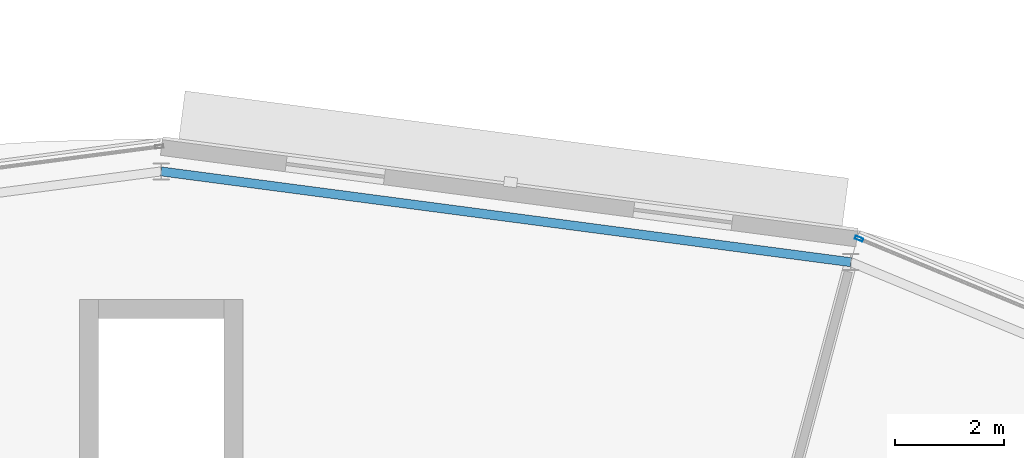
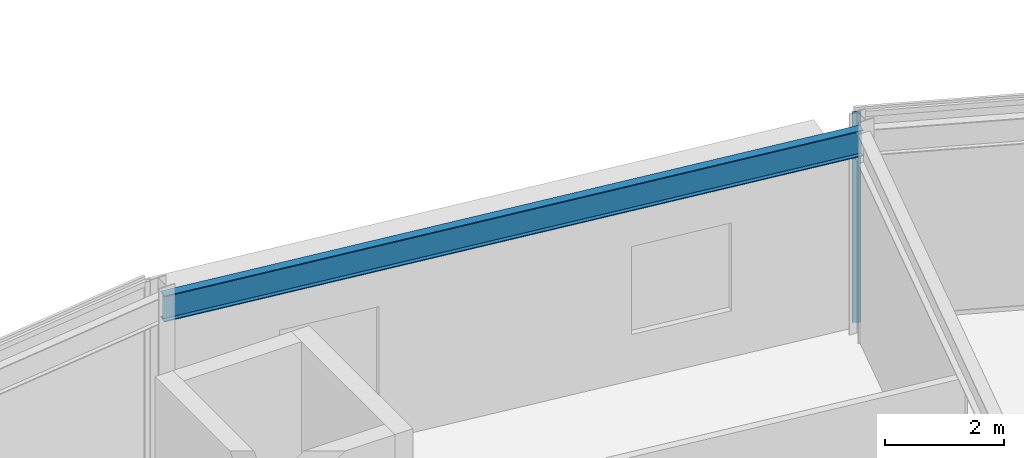
# One storey, part 46 of 89: 1 beam, 1 member, 1 element without a shape of its own.
"""IFC4 building model written with IfcOpenShell, lengths in metres."""

from ifc_helpers import new_model, si_unit, direction, frame, origin, origin_2d, place, context, subcontext, project, spatial, hollow_rectangle, i_section, extrude, material, material_profile, profile_set, type_object, element, aggregate, save


model = new_model("IFC4")

# Units and contexts
model_context = context("Model", 3, precision=1e-05, world=origin(), true_north=direction((0.0, 1.0)))
body_context = subcontext(model_context, "Body", "Model", "MODEL_VIEW")
ifc_project = project(units=[si_unit("LENGTHUNIT", "METRE"), si_unit("AREAUNIT", "SQUARE_METRE"), si_unit("VOLUMEUNIT", "CUBIC_METRE"), si_unit("PLANEANGLEUNIT", "RADIAN"), si_unit("MASSUNIT", "GRAM", prefix="KILO")], contexts=[model_context])

# Site, building, storey
site_placement = place(None, origin())
site = spatial("IfcSite", under=ifc_project, at=site_placement, CompositionType="ELEMENT")
building_placement = place(site_placement, origin())
building = spatial("IfcBuilding", under=site, at=building_placement, Name="Almandine Court Research Institute", CompositionType="ELEMENT")
storey_placement = place(building_placement, frame((0.0, 0.0, 18.89990234375)))
storey = spatial("IfcBuildingStorey", under=building, at=storey_placement, Name="L04", CompositionType="ELEMENT", Elevation=18.89990234375)

# Beam
ifc_material_1 = material(Name="Steel ASTM A992 Grade 50", Category="steel")
ifc_material_profile_1 = material_profile(ifc_material_1, i_section(OverallWidth=0.166015625, OverallDepth=0.534912109375, WebThickness=0.010009765625, FlangeThickness=0.01708984375, at=origin_2d()), Name="W530x85")
ifc_profile_set_1 = profile_set([ifc_material_profile_1], Name="Steel ASTM A992 Grade 50")
beam_type = type_object("IfcBeamType", Name="Beam-G-05-E", PredefinedType="SPANDREL", material=ifc_profile_set_1)
beam_placement = place(storey_placement, frame((99.656005859375, 103.23388671875, 4.041015625), z_axis=(-0.991446677504, 0.130512396599, 0.0), x_axis=(-0.130512396599, -0.991446677504, 0.0)))
element("IfcBeam", 1, at=beam_placement, inside=storey, type_object=beam_type, Name="L04 Drum OUT Ring Beam 05", PredefinedType="SPANDREL", context=body_context, shape_type="SweptSolid", body=[
    extrude(i_section(OverallWidth=0.166015625, OverallDepth=0.534912109375, WebThickness=0.010009765625, FlangeThickness=0.01708984375, at=origin_2d()), origin(), (0.0, 0.0, 1.0), 12.76513671875),
])

# Curtain wall, member
ifc_material_2 = material(Name="Unitised Curtain Wall Framing and Solar Glazing", Category="glass")
curtain_wall_type = type_object("IfcCurtainWallType", Name="CW-CWG-22", PredefinedType="USERDEFINED", material=ifc_material_2)
curtain_wall_placement = place(storey_placement, origin())
curtain_wall = element("IfcCurtainWall", 2, at=curtain_wall_placement, inside=storey, type_object=curtain_wall_type, Name="L04 Stacked-Ring Drum Outer Unitised Glazing 04", ObjectType="UNITISED GLAZING", PredefinedType="USERDEFINED")
ifc_material_3 = material(Name="Anodised Aluminium AW-6063-T6", Category="aluminium")
ifc_material_profile_2 = material_profile(ifc_material_3, hollow_rectangle(XDim=0.06005859375, YDim=0.14990234375, WallThickness=0.00390625, at=origin_2d()), Name="ALU RHS 60x150x4")
ifc_profile_set_2 = profile_set([ifc_material_profile_2], Name="Anodised Aluminium AW-6063-T6")
member_type = type_object("IfcMemberType", Name="CWMul-60x150", PredefinedType="MULLION", material=ifc_profile_set_2)
member_placement = place(storey_placement, frame((99.806640625, 103.66552734375, 0.0), z_axis=(0.0, 0.0, 1.0), x_axis=(0.382662689242, 0.923888124321, 0.0)))
member = element("IfcMember", 3, at=member_placement, type_object=member_type, Name="CWG-22 mullion 1", PredefinedType="MULLION", context=body_context, shape_type="SweptSolid", body=[
    extrude(hollow_rectangle(XDim=0.06005859375, YDim=0.14990234375, WallThickness=0.00390625, at=origin_2d()), origin(), (0.0, 0.0, 1.0), 4.31005859375),
])
aggregate(curtain_wall, [member])

save(model, "model.ifc")
